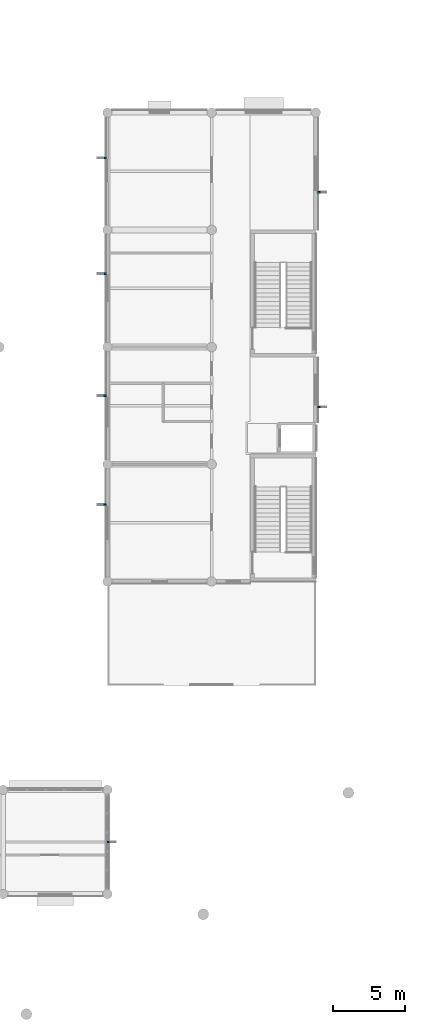
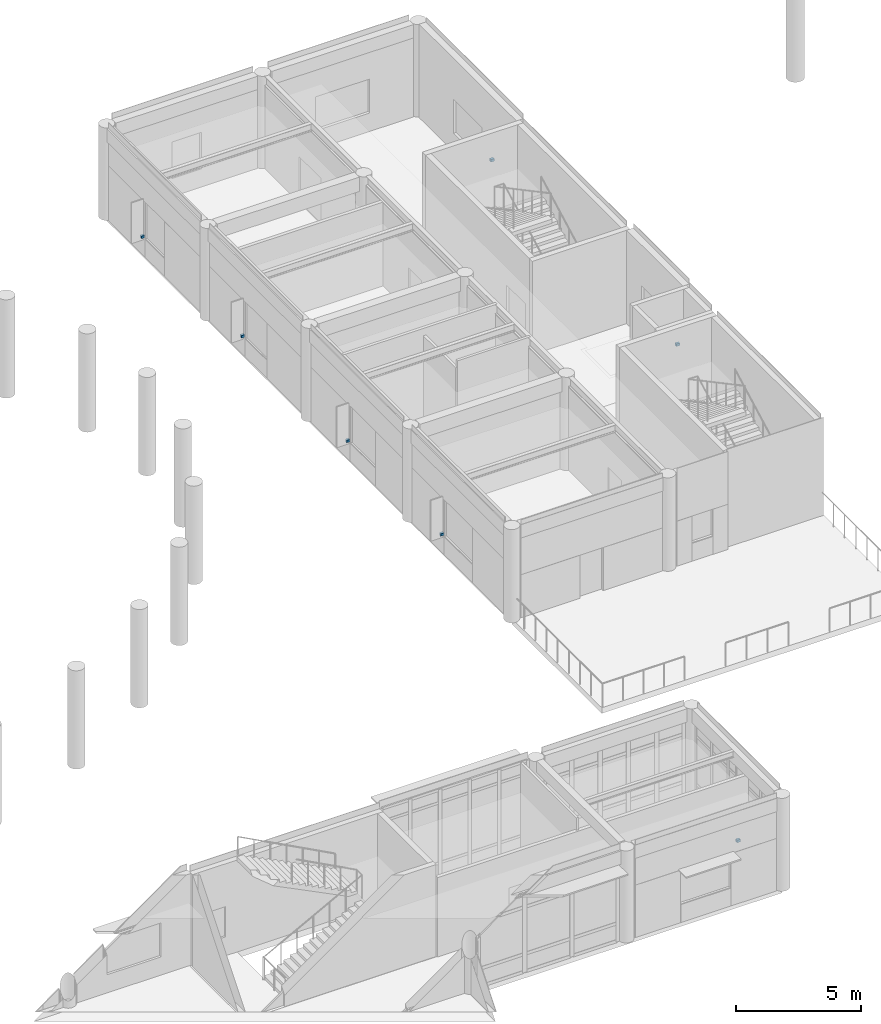
# One storey, part 63 of 92: 7 discrete accessories.
"""IFC4 building model written with IfcOpenShell, lengths in metres."""

from ifc_helpers import new_model, si_unit, direction, frame, origin, origin_2d, place, context, subcontext, project, spatial, rectangle, extrude, material, type_object, element, save


model = new_model("IFC4")

# Units and contexts
model_context = context("Model", 3, precision=1e-05, world=origin(), true_north=direction((0.0, 1.0)))
body_context = subcontext(model_context, "Body", "Model", "MODEL_VIEW")
ifc_project = project(units=[si_unit("LENGTHUNIT", "METRE"), si_unit("AREAUNIT", "SQUARE_METRE"), si_unit("VOLUMEUNIT", "CUBIC_METRE"), si_unit("PLANEANGLEUNIT", "RADIAN"), si_unit("MASSUNIT", "GRAM", prefix="KILO")], contexts=[model_context])

# Site, building, storey
site_placement = place(None, origin())
site = spatial("IfcSite", under=ifc_project, at=site_placement, CompositionType="ELEMENT")
building_placement = place(site_placement, origin())
building = spatial("IfcBuilding", under=site, at=building_placement, Name="Namkhue Oval Health Centre", CompositionType="ELEMENT")
storey_placement = place(building_placement, frame((0.0, 0.0, 4.800048828125)))
storey = spatial("IfcBuildingStorey", under=building, at=storey_placement, Name="L01", CompositionType="ELEMENT", Elevation=4.800048828125)

# Discrete accessories
ifc_material = material(Name="Structural steel S355JR (TCVN CCT38)", Category="steel")
discrete_accessory_type = type_object("IfcDiscreteAccessoryType", Name="FACADE SHADING BRACKET", PredefinedType="BRACKET", material=ifc_material)
for number, where, z_axis, x_axis, name in (
    (1, (136.860107421875, 25.199951171875, 0.0), (0.0, 0.0, 1.0), (1.0, 0.0, 0.0), "Solar Fin Bracket 260"),
    (2, (151.409912109375, 55.260009765625, 0.89990234375), (0.0, 0.0, 1.0), (1.0, 0.0, 0.0), "Window Fin Bracket 304"),
    (3, (151.4150390625, 70.10107421875, 0.89990234375), (0.0, 0.0, 1.0), (1.0, 0.0, 0.0), "Window Fin Bracket 305"),
    (4, (136.64990234375, 72.465087890625, 0.89990234375), (0.0, 0.0, 1.0), (-1.0, 0.0, 0.0), "Window Fin Bracket 308"),
    (5, (136.64501953125, 64.465087890625, 0.89990234375), (0.0, 0.0, 1.0), (-1.0, 0.0, 0.0), "Window Fin Bracket 309"),
    (6, (136.639892578125, 56.0400390625, 0.89990234375), (0.0, 0.0, 1.0), (-1.0, 0.0, 0.0), "Window Fin Bracket 310"),
    (7, (136.635009765625, 48.514892578125, 0.89990234375), (0.0, 0.0, 1.0), (-1.0, 0.0, 0.0), "Window Fin Bracket 311"),
):
    element("IfcDiscreteAccessory", number, at=place(storey_placement, frame(where, z_axis=z_axis, x_axis=x_axis)), inside=storey, type_object=discrete_accessory_type, Name=name, PredefinedType="BRACKET", context=body_context, shape_type="SweptSolid", body=[
        extrude(rectangle(XDim=0.159912109375, YDim=0.1201171875, at=origin_2d()), origin(), (0.0, 0.0, 1.0), 0.1201171875),
    ])

save(model, "model.ifc")
